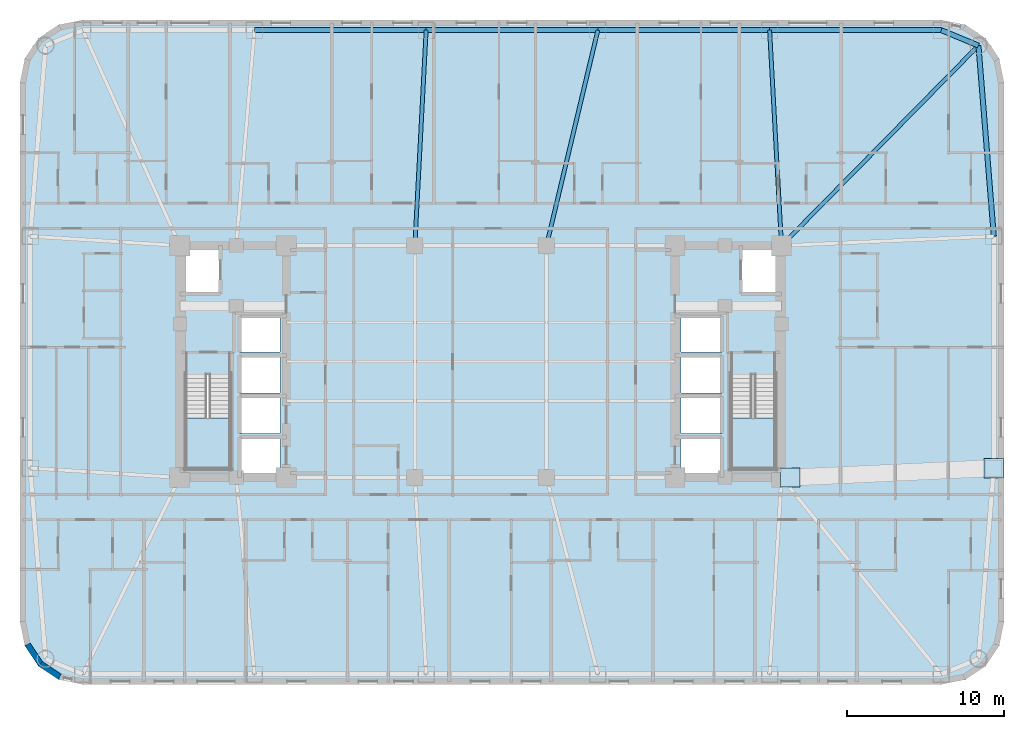
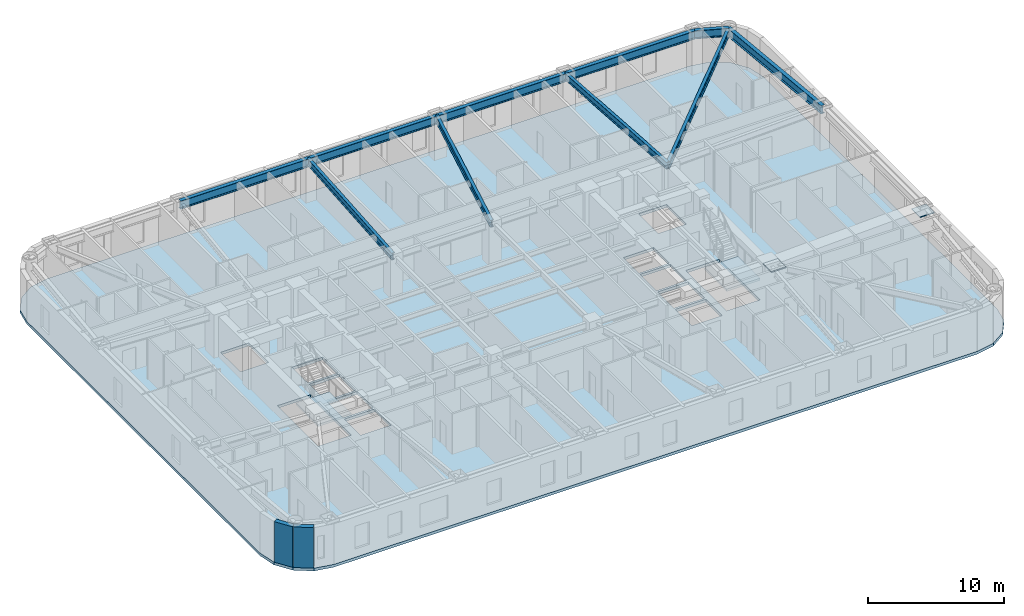
# One storey, part 2 of 12: 10 beams, 3 slabs, 2 plates, 2 walls, 2 elements without a shape of their own.
"""IFC4 building model written with IfcOpenShell, lengths in metres."""

from ifc_helpers import new_model, si_unit, direction, frame, frame_2d, origin, origin_2d, place, context, subcontext, project, spatial, polyline, rectangle, i_section, outline, extrude, material, layer, layer_set, material_profile, profile_set, type_object, element, aggregate, save


model = new_model("IFC4")

# Units and contexts
model_context = context("Model", 3, precision=1e-05, world=origin(), true_north=direction((0.0, 1.0)))
body_context = subcontext(model_context, "Body", "Model", "MODEL_VIEW")
ifc_project = project(units=[si_unit("LENGTHUNIT", "METRE"), si_unit("AREAUNIT", "SQUARE_METRE"), si_unit("VOLUMEUNIT", "CUBIC_METRE"), si_unit("PLANEANGLEUNIT", "RADIAN"), si_unit("MASSUNIT", "GRAM", prefix="KILO")], contexts=[model_context])

# Site, building, storey
site_placement = place(None, origin())
site = spatial("IfcSite", under=ifc_project, at=site_placement, CompositionType="ELEMENT")
building_placement = place(site_placement, origin())
building = spatial("IfcBuilding", under=site, at=building_placement, Name="Voryun Gate Residences", CompositionType="ELEMENT")
storey_placement = place(building_placement, frame((0.0, 0.0, 128.699951171875)))
storey = spatial("IfcBuildingStorey", under=building, at=storey_placement, Name="L31", CompositionType="ELEMENT", Elevation=128.699951171875)

# Beams
ifc_material_1 = material(Name="Steel SM355", Category="steel")
ifc_material_profile_1 = material_profile(ifc_material_1, i_section(OverallWidth=0.320068359375, OverallDepth=0.75, WebThickness=0.01611328125, FlangeThickness=0.028076171875, FilletRadius=0.01806640625, at=origin_2d()), Name="H-750x320x16x28")
ifc_profile_set_1 = profile_set([ifc_material_profile_1], Name="Steel SM355")
beam_type_1 = type_object("IfcBeamType", Name="BM_EXO_SPANDREL_L", PredefinedType="SPANDREL", material=ifc_profile_set_1)
beam_1_placement = place(storey_placement, frame((32.75, 7.998046875, 3.275146484375), z_axis=(-0.080359517973, 0.996765944378, 0.0), x_axis=(-0.996765944378, -0.080359517973, 0.0)))
element("IfcBeam", 1, at=beam_1_placement, inside=storey, type_object=beam_type_1, Name="BM-L31-SPAND-09", PredefinedType="SPANDREL", context=body_context, shape_type="SweptSolid", body=[
    extrude(i_section(OverallWidth=0.320068359375, OverallDepth=0.75, WebThickness=0.01611328125, FlangeThickness=0.028076171875, FilletRadius=0.01806640625, at=origin_2d()), origin(), (0.0, 0.0, 1.0), 12.210205078125),
])
beam_2_placement = place(storey_placement, frame((31.768798828125, 20.168701171875, 3.275146484375), z_axis=(-0.923883376753, 0.382674151414, 0.0), x_axis=(-0.382674151414, -0.923883376753, 0.0)))
element("IfcBeam", 2, at=beam_2_placement, inside=storey, type_object=beam_type_1, Name="BM-L31-SPAND-10", PredefinedType="SPANDREL", context=body_context, shape_type="SweptSolid", body=[
    extrude(i_section(OverallWidth=0.320068359375, OverallDepth=0.75, WebThickness=0.01611328125, FlangeThickness=0.028076171875, FilletRadius=0.01806640625, at=origin_2d()), origin(), (0.0, 0.0, 1.0), 2.56396484375),
])
for number, where, z_axis, x_axis, name in (
    (3, (29.39990234375, 21.14990234375, 3.275146484375), (-1.0, 0.0, 0.0), (0.0, -1.0, 0.0), "BM-L31-SPAND-11"),
    (4, (18.43994140625, 21.14990234375, 3.275146484375), (-1.0, 0.0, 0.0), (0.0, -1.0, 0.0), "BM-L31-SPAND-12"),
    (5, (7.47998046875, 21.14990234375, 3.275146484375), (-1.0, 0.0, 0.0), (0.0, -1.0, 0.0), "BM-L31-SPAND-13"),
    (6, (-3.47998046875, 21.14990234375, 3.275146484375), (-1.0, 0.0, 0.0), (0.0, -1.0, 0.0), "BM-L31-SPAND-14"),
):
    element("IfcBeam", number, at=place(storey_placement, frame(where, z_axis=z_axis, x_axis=x_axis)), inside=storey, type_object=beam_type_1, Name=name, PredefinedType="SPANDREL", context=body_context, shape_type="SweptSolid", body=[
        extrude(i_section(OverallWidth=0.320068359375, OverallDepth=0.75, WebThickness=0.01611328125, FlangeThickness=0.028076171875, FilletRadius=0.01806640625, at=origin_2d()), origin(), (0.0, 0.0, 1.0), 10.9599609375),
    ])
ifc_material_2 = material(Name="Steel SM355", Category="steel")
ifc_material_profile_2 = material_profile(ifc_material_2, i_section(OverallWidth=0.25, OverallDepth=0.60009765625, WebThickness=0.011962890625, FlangeThickness=0.02197265625, FilletRadius=0.01806640625, at=origin_2d()), Name="H-600x250x12x22")
ifc_profile_set_2 = profile_set([ifc_material_profile_2], Name="Steel SM355")
beam_type_2 = type_object("IfcBeamType", Name="BM_GIRD_600", PredefinedType="USERDEFINED", material=ifc_profile_set_2)
beam_3_placement = place(storey_placement, frame((19.199951171875, 7.39990234375, 3.35009765625), z_axis=(0.701504829324, 0.712664699866, 0.0), x_axis=(-0.712664699866, 0.701504829324, 0.0)))
element("IfcBeam", 7, at=beam_3_placement, inside=storey, type_object=beam_type_2, Name="BM-L31-RAD-CNE", ObjectType="GIRDER", PredefinedType="USERDEFINED", context=body_context, shape_type="SweptSolid", body=[
    extrude(i_section(OverallWidth=0.25, OverallDepth=0.60009765625, WebThickness=0.011962890625, FlangeThickness=0.02197265625, FilletRadius=0.01806640625, at=origin_2d()), origin(), (0.0, 0.0, 1.0), 17.9169921875),
])
beam_4_placement = place(storey_placement, frame((19.199951171875, 7.39990234375, 3.35009765625), z_axis=(-0.055189196078, 0.9984759149, 0.0), x_axis=(-0.9984759149, -0.055189196078, 0.0)))
element("IfcBeam", 8, at=beam_4_placement, inside=storey, type_object=beam_type_2, Name="BM-L31-RAD-N2", ObjectType="GIRDER", PredefinedType="USERDEFINED", context=body_context, shape_type="SweptSolid", body=[
    extrude(i_section(OverallWidth=0.25, OverallDepth=0.60009765625, WebThickness=0.011962890625, FlangeThickness=0.02197265625, FilletRadius=0.01806640625, at=origin_2d()), origin(), (0.0, 0.0, 1.0), 13.77099609375),
])
beam_5_placement = place(storey_placement, frame((4.199951171875, 7.39990234375, 3.35009765625), z_axis=(0.232036902087, 0.972706983665, 0.0), x_axis=(-0.972706983665, 0.232036902087, 0.0)))
element("IfcBeam", 9, at=beam_5_placement, inside=storey, type_object=beam_type_2, Name="BM-L31-RAD-N3", ObjectType="GIRDER", PredefinedType="USERDEFINED", context=body_context, shape_type="SweptSolid", body=[
    extrude(i_section(OverallWidth=0.25, OverallDepth=0.60009765625, WebThickness=0.011962890625, FlangeThickness=0.02197265625, FilletRadius=0.01806640625, at=origin_2d()), origin(), (0.0, 0.0, 1.0), 14.1357421875),
])
beam_6_placement = place(storey_placement, frame((-4.199951171875, 7.39990234375, 3.35009765625), z_axis=(0.052289872463, 0.998631948837, 0.0), x_axis=(-0.998631948837, 0.052289872463, 0.0)))
element("IfcBeam", 10, at=beam_6_placement, inside=storey, type_object=beam_type_2, Name="BM-L31-RAD-N4", ObjectType="GIRDER", PredefinedType="USERDEFINED", context=body_context, shape_type="SweptSolid", body=[
    extrude(i_section(OverallWidth=0.25, OverallDepth=0.60009765625, WebThickness=0.011962890625, FlangeThickness=0.02197265625, FilletRadius=0.01806640625, at=origin_2d()), origin(), (0.0, 0.0, 1.0), 13.768798828125),
])

# Plates
ifc_material_3 = material(Name="Steel SM355", Category="steel")
ifc_layer_1 = layer(ifc_material_3, 0.02490234375, Name="PLT_END_CAP_25")
ifc_layer_set_1 = layer_set([ifc_layer_1], Name="Steel SM355")
plate_type = type_object("IfcPlateType", Name="PLT_END_CAP_25", PredefinedType="USERDEFINED", material=ifc_layer_set_1)
for number, where, z_axis, x_axis, name in (
    (11, (19.75, -7.39990234375, 3.06005859375), (0.0, 0.0, 1.0), (1.0, 0.0, 0.0), "L31 Hollow Member End-Cap Plate EC-388"),
    (12, (32.75, -6.798095703125, 3.06005859375), (0.0, 0.0, 1.0), (1.0, 0.0, 0.0), "L31 Hollow Member End-Cap Plate EC-389"),
):
    element("IfcPlate", number, at=place(storey_placement, frame(where, z_axis=z_axis, x_axis=x_axis)), inside=storey, type_object=plate_type, Name=name, ObjectType="BASE_PLATE", PredefinedType="USERDEFINED", context=body_context, shape_type="SweptSolid", body=[
        extrude(rectangle(XDim=1.239990234375, YDim=1.239990234375, at=origin_2d()), origin(), (0.0, 0.0, 1.0), 0.080078125),
    ])

# Slab
ifc_material_4 = material(Name="Concrete C40/50", Category="concrete")
ifc_layer_2 = layer(ifc_material_4, 0.25, Name="SLB_RES_250")
ifc_layer_set_2 = layer_set([ifc_layer_2], Name="Concrete C40/50")
slab_type_1 = type_object("IfcSlabType", Name="SLB_RES_250", PredefinedType="FLOOR", material=ifc_layer_set_2)
slab_1_placement = place(storey_placement, frame((0.0, 0.0, -0.25)))
element("IfcSlab", 13, at=slab_1_placement, inside=storey, type_object=slab_type_1, Name="L31 Structural Floor Slab", PredefinedType="FLOOR", context=body_context, shape_type="SweptSolid", body=[
    extrude(outline(polyline([(-25.39990234375, -20.60009765625), (-26.9306640625, -20.29541015625), (-28.228515625, -19.428466796875), (-29.095458984375, -18.130615234375), (-29.39990234375, -16.60009765625), (-29.39990234375, 17.800048828125), (-29.095458984375, 19.330810546875), (-28.228515625, 20.62841796875), (-26.9306640625, 21.49560546875), (-25.39990234375, 21.800048828125), (29.39990234375, 21.800048828125), (30.9306640625, 21.49560546875), (32.228515625, 20.62841796875), (33.095458984375, 19.330810546875), (33.39990234375, 17.800048828125), (33.39990234375, -16.60009765625), (33.095458984375, -18.130615234375), (32.228515625, -19.428466796875), (30.9306640625, -20.29541015625), (29.39990234375, -20.60009765625), (-25.39990234375, -20.60009765625)]), holes=[polyline([(-12.800048828125, -4.800048828125), (-15.39990234375, -4.800048828125), (-15.39990234375, -7.199951171875), (-12.800048828125, -7.199951171875), (-12.800048828125, -4.800048828125)]), polyline([(-18.824951171875, -6.85009765625), (-15.97509765625, -6.85009765625), (-15.97509765625, -0.840087890625), (-18.824951171875, -0.840087890625), (-18.824951171875, -6.85009765625)]), polyline([(-12.800048828125, -4.60009765625), (-12.800048828125, -2.199951171875), (-15.39990234375, -2.199951171875), (-15.39990234375, -4.60009765625), (-12.800048828125, -4.60009765625)]), polyline([(-12.800048828125, 0.39990234375), (-15.39990234375, 0.39990234375), (-15.39990234375, -2.0), (-12.800048828125, -2.0), (-12.800048828125, 0.39990234375)]), polyline([(-12.800048828125, 0.60009765625), (-12.800048828125, 2.89990234375), (-15.39990234375, 2.89990234375), (-15.39990234375, 0.60009765625), (-12.800048828125, 0.60009765625)]), polyline([(-16.60009765625, 4.300048828125), (-16.60009765625, 7.199951171875), (-19.0, 7.199951171875), (-19.0, 4.300048828125), (-16.60009765625, 4.300048828125)]), polyline([(15.39990234375, -4.800048828125), (12.800048828125, -4.800048828125), (12.800048828125, -7.199951171875), (15.39990234375, -7.199951171875), (15.39990234375, -4.800048828125)]), polyline([(15.97509765625, -6.85009765625), (18.824951171875, -6.85009765625), (18.824951171875, -0.840087890625), (15.97509765625, -0.840087890625), (15.97509765625, -6.85009765625)]), polyline([(15.39990234375, -4.60009765625), (15.39990234375, -2.199951171875), (12.800048828125, -2.199951171875), (12.800048828125, -4.60009765625), (15.39990234375, -4.60009765625)]), polyline([(15.39990234375, 0.39990234375), (12.800048828125, 0.39990234375), (12.800048828125, -2.0), (15.39990234375, -2.0), (15.39990234375, 0.39990234375)]), polyline([(15.39990234375, 0.60009765625), (15.39990234375, 2.89990234375), (12.800048828125, 2.89990234375), (12.800048828125, 0.60009765625), (15.39990234375, 0.60009765625)]), polyline([(19.0, 4.300048828125), (19.0, 7.199951171875), (16.60009765625, 7.199951171875), (16.60009765625, 4.300048828125), (19.0, 4.300048828125)])]), origin(), (0.0, 0.0, 1.0), 0.25),
])

# Stair, slab
ifc_material_5 = material(Name="Concrete C40/50", Category="concrete")
stair_type = type_object("IfcStairType", Name="STR_CORE_DOGLEG_1350", PredefinedType="HALF_TURN_STAIR", material=ifc_material_5)
stair_1_placement = place(storey_placement, origin())
stair_1 = element("IfcStair", 14, at=stair_1_placement, inside=storey, type_object=stair_type, Name="L31 Special Escape Stair ST-W1", PredefinedType="HALF_TURN_STAIR")
ifc_material_6 = material(Name="Concrete C40/50", Category="concrete")
ifc_layer_3 = layer(ifc_material_6, 0.199951171875, Name="SLB_STAIR_LANDING_200")
ifc_layer_set_3 = layer_set([ifc_layer_3], Name="Concrete C40/50")
slab_type_2 = type_object("IfcSlabType", Name="SLB_STAIR_LANDING_200", PredefinedType="LANDING", material=ifc_layer_set_3)
slab_2_placement = place(storey_placement, frame((0.0, 0.0, 1.75)))
slab_2 = element("IfcSlab", 15, at=slab_2_placement, type_object=slab_type_2, Name="ST-W1 landing 1", PredefinedType="LANDING", context=body_context, shape_type="SweptSolid", body=[
    extrude(outline(polyline([(-18.824951171875, -3.60009765625), (-18.824951171875, -6.85009765625), (-15.97509765625, -6.85009765625), (-15.97509765625, -3.60009765625), (-18.824951171875, -3.60009765625)])), origin(), (0.0, 0.0, 1.0), 0.199951171875),
])
aggregate(stair_1, [slab_2])

stair_2_placement = place(storey_placement, origin())
stair_2 = element("IfcStair", 16, at=stair_2_placement, inside=storey, type_object=stair_type, Name="L31 Special Escape Stair ST-E1", PredefinedType="HALF_TURN_STAIR")
slab_3_placement = place(storey_placement, frame((0.0, 0.0, 1.75)))
slab_3 = element("IfcSlab", 17, at=slab_3_placement, type_object=slab_type_2, Name="ST-E1 landing 1", PredefinedType="LANDING", context=body_context, shape_type="SweptSolid", body=[
    extrude(outline(polyline([(15.97509765625, -3.60009765625), (15.97509765625, -6.85009765625), (18.824951171875, -6.85009765625), (18.824951171875, -3.60009765625), (15.97509765625, -3.60009765625)])), origin(), (0.0, 0.0, 1.0), 0.199951171875),
])
aggregate(stair_2, [slab_3])

# Walls
ifc_material_7 = material(Name="Granite masonry", Category="masonry")
ifc_layer_4 = layer(ifc_material_7, 0.3798828125, Name="W_EXT_GRANITE_380")
ifc_layer_set_4 = layer_set([ifc_layer_4], Name="Granite masonry")
wall_type = type_object("IfcWallType", Name="W_EXT_GRANITE_380", PredefinedType="ELEMENTEDWALL", material=ifc_layer_set_4)
wall_1_placement = place(storey_placement, frame((-26.856689453125, -20.116455078125, 0.0), z_axis=(0.0, 0.0, 1.0), x_axis=(-0.831468045563, 0.555572577804, 0.0)))
element("IfcWall", 18, at=wall_1_placement, inside=storey, type_object=wall_type, Name="Exterior wall WEXT-L31-03", PredefinedType="ELEMENTEDWALL", context=body_context, shape_type="SweptSolid", body=[
    extrude(rectangle(XDim=1.48486328125, YDim=0.3798828125, at=frame_2d((0.742431640625, 0.0))), origin(), (0.0, 0.0, 1.0), 3.650146484375),
])
wall_2_placement = place(storey_placement, frame((-28.09130859375, -19.29150390625, 0.0), z_axis=(0.0, 0.0, 1.0), x_axis=(-0.555610286119, 0.831442848281, 0.0)))
element("IfcWall", 19, at=wall_2_placement, inside=storey, type_object=wall_type, Name="Exterior wall WEXT-L31-04", PredefinedType="ELEMENTEDWALL", context=body_context, shape_type="SweptSolid", body=[
    extrude(rectangle(XDim=1.485107421875, YDim=0.3798828125, at=frame_2d((0.74267578125, 0.0))), origin(), (0.0, 0.0, 1.0), 3.650146484375),
])

save(model, "model.ifc")
